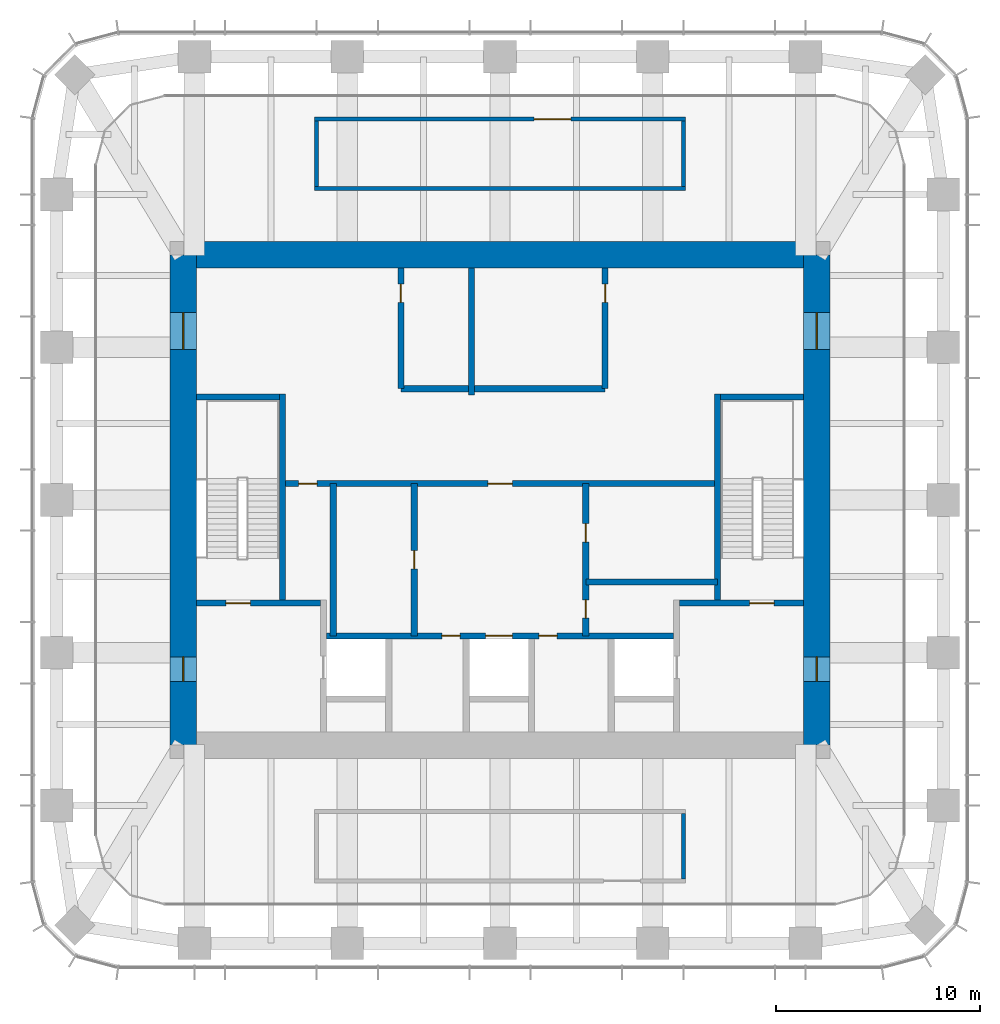
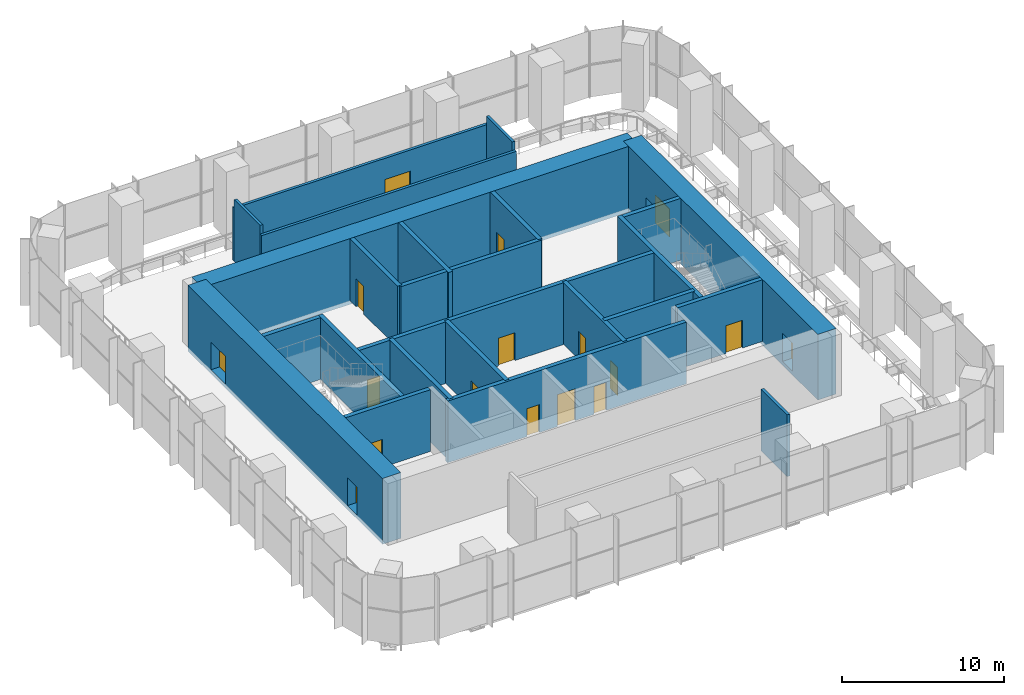
# One storey, part 6 of 10: 24 walls, 17 doors, 17 openings.
"""IFC4 building model written with IfcOpenShell, lengths in metres."""

import ifcopenshell
import ifcopenshell.guid

model = None  # the IFC model being written
_history = None  # IfcOwnerHistory: only IFC2X3 demands one
_inside = {}  # id of a spatial element -> (the spatial element, [elements in it])
_under = {}  # id of a project, library or spatial element -> (it, [spatial elements below it])
_declared = {}  # id of a project -> (the project, [libraries it declares])
_typed = {}  # id of a type object -> (the type object, [elements of that type])
_made_of = {}  # id of a material, layer set ... -> (it, [elements and type objects made of it])


def new_model(schema):
    """Start an empty IFC model of exactly this schema.

    Asked for "IFC4X3", IfcOpenShell would pick the latest addendum, in which some entities
    have other attributes; the version numbers below select the first issue.
    IFC2X3 requires an IfcOwnerHistory on every rooted entity: one is made here for all.
    """
    global model, _history
    if schema == "IFC4X3":
        model = ifcopenshell.file(schema_version=(4, 3, 0, 0))
    else:
        model = ifcopenshell.file(schema=schema)
    _inside.clear()
    _under.clear()
    _declared.clear()
    _typed.clear()
    _made_of.clear()
    _history = None
    if model.schema == "IFC2X3":
        org = make("IfcOrganization", Name="unknown")
        user = make(
            "IfcPersonAndOrganization",
            ThePerson=make("IfcPerson", FamilyName="unknown"),
            TheOrganization=org,
        )
        app = make(
            "IfcApplication",
            ApplicationDeveloper=org,
            Version="unknown",
            ApplicationFullName="unknown",
            ApplicationIdentifier="unknown",
        )
        _history = make(
            "IfcOwnerHistory",
            OwningUser=user,
            OwningApplication=app,
            ChangeAction="ADDED",
            CreationDate=0,
        )
    return model


def make(cls, **values):
    """One entity of the class cls with the attributes given. An attribute that is None is left unset."""
    return model.create_entity(
        cls, **{name: value for name, value in values.items() if value is not None}
    )


def rooted(cls, **values):
    """An entity with a GlobalId (a new one), such as an element, a storey or a relation."""
    return make(cls, GlobalId=ifcopenshell.guid.new(), OwnerHistory=_history, **values)


def si_unit(unit_type, name, prefix=None):
    """IfcSIUnit, for example si_unit("LENGTHUNIT", "METRE", prefix="MILLI")."""
    return make("IfcSIUnit", UnitType=unit_type, Prefix=prefix, Name=name)


def assignment(units):
    """IfcUnitAssignment: the units of a project."""
    return None if units is None else make("IfcUnitAssignment", Units=units)


def point(xyz):
    """IfcCartesianPoint."""
    return None if xyz is None else make("IfcCartesianPoint", Coordinates=xyz)


def direction(xyz):
    """IfcDirection."""
    return None if xyz is None else make("IfcDirection", DirectionRatios=xyz)


def frame(location, z_axis=None, x_axis=None):
    """IfcAxis2Placement3D, a coordinate frame: its origin and axes. An axis left out is left unset."""
    return make(
        "IfcAxis2Placement3D",
        Location=point(location),
        Axis=direction(z_axis),
        RefDirection=direction(x_axis),
    )


def frame_2d(location, x_axis=None):
    """IfcAxis2Placement2D, a coordinate frame in the plane: its origin and x axis."""
    return make(
        "IfcAxis2Placement2D", Location=point(location), RefDirection=direction(x_axis)
    )


def origin():
    """The frame at (0, 0, 0) with its axes left unset."""
    return frame((0.0, 0.0, 0.0))


def place(relative_to, where):
    """IfcLocalPlacement: puts the frame where relative to a parent placement (None: the world)."""
    return make(
        "IfcLocalPlacement", PlacementRelTo=relative_to, RelativePlacement=where
    )


def context(
    kind, dimensions, precision=None, world=None, true_north=None, identifier=None
):
    """IfcGeometricRepresentationContext, for example the 3D "Model" context."""
    return make(
        "IfcGeometricRepresentationContext",
        ContextIdentifier=identifier,
        ContextType=kind,
        CoordinateSpaceDimension=dimensions,
        Precision=precision,
        WorldCoordinateSystem=world,
        TrueNorth=true_north,
    )


def subcontext(parent, identifier, kind, view, scale=None):
    """IfcGeometricRepresentationSubContext, for example "Body" below "Model"."""
    return make(
        "IfcGeometricRepresentationSubContext",
        ContextIdentifier=identifier,
        ContextType=kind,
        ParentContext=parent,
        TargetScale=scale,
        TargetView=view,
    )


def project(units=None, contexts=None):
    """IfcProject with its units and contexts."""
    return rooted(
        "IfcProject",
        Name="project",
        RepresentationContexts=contexts,
        UnitsInContext=assignment(units),
    )


def spatial(cls, under=None, at=None, **own):
    """A site, building, storey or space (cls), placed at a placement, below another one or the project."""
    s = rooted(cls, ObjectPlacement=at, **own)
    if under is not None:
        _under.setdefault(under.id(), (under, []))[1].append(s)
    return s


def profile(cls, at=None, kind="AREA", **sizes):
    """A parametric profile (cls). Its sizes go by their IFC names, for example OverallWidth=200.0."""
    return make(cls, ProfileType=kind, Position=at, **sizes)


def rectangle(**sizes):
    """IfcRectangleProfileDef."""
    return profile("IfcRectangleProfileDef", **sizes)


def extrude(swept, where, along, depth):
    """IfcExtrudedAreaSolid: the profile swept, set in the frame where, extruded along a direction by depth."""
    return make(
        "IfcExtrudedAreaSolid",
        SweptArea=swept,
        Position=where,
        ExtrudedDirection=direction(along),
        Depth=depth,
    )


def shape(context_of_items, identifier, shape_type, items):
    """IfcShapeRepresentation: the items that make up one representation, for example the "Body"."""
    return make(
        "IfcShapeRepresentation",
        ContextOfItems=context_of_items,
        RepresentationIdentifier=identifier,
        RepresentationType=shape_type,
        Items=items,
    )


def material(Name=None, Category=None):
    """IfcMaterial."""
    return make("IfcMaterial", Name=Name, Category=Category)


def layer(
    of_material, thickness, ventilated=None, Name=None, Category=None, Priority=None
):
    """IfcMaterialLayer: one layer of a wall or slab, of a material (None: an air gap)."""
    return make(
        "IfcMaterialLayer",
        Material=of_material,
        LayerThickness=thickness,
        IsVentilated=ventilated,
        Name=Name,
        Category=Category,
        Priority=Priority,
    )


def layer_set(layers, Name=None):
    """IfcMaterialLayerSet."""
    return make("IfcMaterialLayerSet", MaterialLayers=layers, LayerSetName=Name)


def made_of(thing, what):
    """Note that an element or type object is made of a material, layer set ...; save() writes the relation."""
    if what is not None:
        _made_of.setdefault(what.id(), (what, []))[1].append(thing)
    return thing


def type_object(cls, material=None, **own):
    """A type object (cls), such as IfcWallType, which elements share."""
    return made_of(rooted(cls, **own), material)


def element(
    cls,
    number,
    at=None,
    inside=None,
    cuts=None,
    type_object=None,
    material=None,
    context=None,
    identifier="Body",
    shape_type=None,
    held_by="IfcProductDefinitionShape",
    body=None,
    shapes=None,
    **own,
):
    """One element of the class cls, such as IfcWall. Its Tag is "e" and its number.

    at: its placement. inside: the storey or other place that contains it. cuts: it is an
    opening in that element (IfcRelVoidsElement). A single representation is given by context,
    identifier, shape_type and body (its items); several are given by shapes. held_by: the class
    of the entity that holds the representations. save() writes the other relations.
    """
    e = rooted(cls, Tag="e%d" % number, ObjectPlacement=at, **own)
    if body is not None:
        shapes = [shape(context, identifier, shape_type, body)]
    if shapes is not None:
        e.Representation = make(held_by, Representations=shapes)
    if inside is not None:
        _inside.setdefault(inside.id(), (inside, []))[1].append(e)
    if cuts is not None:
        rooted(
            "IfcRelVoidsElement", RelatingBuildingElement=cuts, RelatedOpeningElement=e
        )
    if type_object is not None:
        _typed.setdefault(type_object.id(), (type_object, []))[1].append(e)
    return made_of(e, material)


def fill(opening, filler):
    """IfcRelFillsElement: the door or window that sits in an opening."""
    return rooted(
        "IfcRelFillsElement",
        RelatingOpeningElement=opening,
        RelatedBuildingElement=filler,
    )


def aggregate(whole, parts):
    """IfcRelAggregates: a whole, such as a stair, and the parts it consists of."""
    return rooted("IfcRelAggregates", RelatingObject=whole, RelatedObjects=parts)


def save(model, path):
    """Write the relations noted so far, then the file.

    IfcRelAggregates (storeys below a building ...), IfcRelContainedInSpatialStructure (elements
    in a storey), IfcRelDefinesByType, IfcRelAssociatesMaterial and IfcRelDeclares: one each for
    every whole, place, type object, material and project.
    """
    for whole, parts in _under.values():
        aggregate(whole, parts)
    for where, things in _inside.values():
        rooted(
            "IfcRelContainedInSpatialStructure",
            RelatedElements=things,
            RelatingStructure=where,
        )
    for kind, things in _typed.values():
        rooted("IfcRelDefinesByType", RelatedObjects=things, RelatingType=kind)
    for what, things in _made_of.values():
        rooted("IfcRelAssociatesMaterial", RelatedObjects=things, RelatingMaterial=what)
    for by, libraries in _declared.values():
        rooted("IfcRelDeclares", RelatingContext=by, RelatedDefinitions=libraries)
    model.write(path)


model = new_model("IFC4")

# Units and contexts
model_context = context("Model", 3, precision=1e-05, world=origin(), true_north=direction((0.0, 1.0)))
body_context = subcontext(model_context, "Body", "Model", "MODEL_VIEW")
ifc_project = project(units=[si_unit("LENGTHUNIT", "METRE"), si_unit("AREAUNIT", "SQUARE_METRE"), si_unit("VOLUMEUNIT", "CUBIC_METRE"), si_unit("PLANEANGLEUNIT", "RADIAN"), si_unit("MASSUNIT", "GRAM", prefix="KILO")], contexts=[model_context])

# Site, building, storey
site_placement = place(None, origin())
site = spatial("IfcSite", under=ifc_project, at=site_placement, CompositionType="ELEMENT")
building_placement = place(site_placement, origin())
building = spatial("IfcBuilding", under=site, at=building_placement, Name="Khuree Lantern Residences", CompositionType="ELEMENT")
storey_placement = place(building_placement, frame((0.0, 0.0, 358.25)))
storey = spatial("IfcBuildingStorey", under=building, at=storey_placement, Name="L90", CompositionType="ELEMENT", Elevation=358.25)

# Wall, openings, doors
ifc_material_1 = material(Name="Dense concrete blockwork", Category="masonry")
ifc_layer_1 = layer(ifc_material_1, 0.300048828125)
ifc_layer_set_1 = layer_set([ifc_layer_1], Name="CORE PARTITION WALL CPW300 EI 120")
wall_type_1 = type_object("IfcWallType", Name="CORE PARTITION WALL CPW300 EI 120", PredefinedType="PARTITIONING", material=ifc_layer_set_1)
wall_1_placement = place(storey_placement, frame((-8.5, -6.64990234375, 0.0), z_axis=(0.0, 0.0, 1.0), x_axis=(1.0, 0.0, 0.0)))
wall_1 = element("IfcWall", 1, at=wall_1_placement, inside=storey, type_object=wall_type_1, Name="L90 CORE WALL FLROW", PredefinedType="PARTITIONING", context=body_context, shape_type="SweptSolid", body=[
    extrude(rectangle(XDim=17.0, YDim=0.300048828125, at=frame_2d((8.5, 0.0))), origin(), (0.0, 0.0, 1.0), 4.64990234375),
])
opening_1_placement = place(wall_1_placement, frame((7.800048828125, 0.0, 0.0)))
opening_1 = element("IfcOpeningElement", 2, at=opening_1_placement, cuts=wall_1, Name="Opening 90-009", PredefinedType="OPENING", context=body_context, shape_type="SweptSolid", body=[
    extrude(rectangle(XDim=1.300048828125, YDim=2.39990234375, at=frame_2d((0.64990234375, 1.199951171875))), frame((0.0, 0.16015625, 0.0), z_axis=(0.0, -1.0, 0.0), x_axis=(1.0, 0.0, 0.0)), (0.0, 0.0, 1.0), 0.320068359375),
])
opening_2_placement = place(wall_1_placement, frame((5.64990234375, 0.0, 0.0)))
opening_2 = element("IfcOpeningElement", 3, at=opening_2_placement, cuts=wall_1, Name="Opening 90-011", PredefinedType="OPENING", context=body_context, shape_type="SweptSolid", body=[
    extrude(rectangle(XDim=0.89990234375, YDim=2.10009765625, at=frame_2d((0.449951171875, 1.050048828125))), frame((0.0, 0.16015625, 0.0), z_axis=(0.0, -1.0, 0.0), x_axis=(1.0, 0.0, 0.0)), (0.0, 0.0, 1.0), 0.320068359375),
])
opening_3_placement = place(wall_1_placement, frame((10.39990234375, 0.0, 0.0)))
opening_3 = element("IfcOpeningElement", 4, at=opening_3_placement, cuts=wall_1, Name="Opening 90-012", PredefinedType="OPENING", context=body_context, shape_type="SweptSolid", body=[
    extrude(rectangle(XDim=0.89990234375, YDim=2.10009765625, at=frame_2d((0.449951171875, 1.050048828125))), frame((0.0, 0.16015625, 0.0), z_axis=(0.0, -1.0, 0.0), x_axis=(1.0, 0.0, 0.0)), (0.0, 0.0, 1.0), 0.320068359375),
])
ifc_material_2 = material(Name="Steel door leaf in steel frame", Category="steel")
door_type_1 = type_object("IfcDoorType", Name="DOOR 900X2100 EI 60", OperationType="SINGLE_SWING_LEFT", PredefinedType="DOOR", material=ifc_material_2)
door_1_placement = place(opening_2_placement, origin())
door_1 = element("IfcDoor", 5, at=door_1_placement, inside=storey, type_object=door_type_1, Name="Electrical riser door 90-011", OperationType="SINGLE_SWING_LEFT", OverallHeight=2.10009765625, OverallWidth=0.89990234375, PredefinedType="DOOR", context=body_context, shape_type="SweptSolid", body=[
    extrude(rectangle(XDim=0.89990234375, YDim=2.10009765625, at=frame_2d((0.449951171875, 1.050048828125))), frame((0.0, 0.02490234375, 0.0), z_axis=(0.0, -1.0, 0.0), x_axis=(1.0, 0.0, 0.0)), (0.0, 0.0, 1.0), 0.050048828125),
])
fill(opening_2, door_1)
door_type_2 = type_object("IfcDoorType", Name="DOOR 900X2100 EI 60 RIGHT HAND", OperationType="SINGLE_SWING_RIGHT", PredefinedType="DOOR", material=ifc_material_2)
door_2_placement = place(opening_3_placement, origin())
door_2 = element("IfcDoor", 6, at=door_2_placement, inside=storey, type_object=door_type_2, Name="Plumbing riser door 90-012", OperationType="SINGLE_SWING_RIGHT", OverallHeight=2.10009765625, OverallWidth=0.89990234375, PredefinedType="DOOR", context=body_context, shape_type="SweptSolid", body=[
    extrude(rectangle(XDim=0.89990234375, YDim=2.10009765625, at=frame_2d((0.449951171875, 1.050048828125))), frame((0.0, 0.02490234375, 0.0), z_axis=(0.0, -1.0, 0.0), x_axis=(1.0, 0.0, 0.0)), (0.0, 0.0, 1.0), 0.050048828125),
])
fill(opening_3, door_2)
ifc_material_3 = material(Name="Stainless steel lift landing door", Category="steel")
door_type_3 = type_object("IfcDoorType", Name="LIFT LANDING DOOR 1300X2400 E 60", OperationType="DOUBLE_DOOR_SLIDING", PredefinedType="DOOR", material=ifc_material_3)
door_3_placement = place(opening_1_placement, origin())
door_3 = element("IfcDoor", 7, at=door_3_placement, inside=storey, type_object=door_type_3, Name="Landing door SL1 90-009", OperationType="DOUBLE_DOOR_SLIDING", OverallHeight=2.39990234375, OverallWidth=1.300048828125, PredefinedType="DOOR", context=body_context, shape_type="SweptSolid", body=[
    extrude(rectangle(XDim=1.300048828125, YDim=2.39990234375, at=frame_2d((0.64990234375, 1.199951171875))), frame((0.0, 0.02490234375, 0.0), z_axis=(0.0, -1.0, 0.0), x_axis=(1.0, 0.0, 0.0)), (0.0, 0.0, 1.0), 0.050048828125),
])
fill(opening_1, door_3)

wall_2_placement = place(storey_placement, frame((-10.64990234375, 0.800048828125, 0.0), z_axis=(0.0, 0.0, 1.0), x_axis=(1.0, 0.0, 0.0)))
wall_2 = element("IfcWall", 8, at=wall_2_placement, inside=storey, type_object=wall_type_1, Name="L90 CORE WALL LLS", PredefinedType="PARTITIONING", context=body_context, shape_type="SweptSolid", body=[
    extrude(rectangle(XDim=21.2998046875, YDim=0.300048828125, at=frame_2d((10.64990234375, 0.0))), origin(), (0.0, 0.0, 1.0), 4.64990234375),
])
opening_4_placement = place(wall_2_placement, frame((10.050048828125, 0.0, 0.0)))
opening_4 = element("IfcOpeningElement", 9, at=opening_4_placement, cuts=wall_2, Name="Opening 90-010", PredefinedType="OPENING", context=body_context, shape_type="SweptSolid", body=[
    extrude(rectangle(XDim=1.199951171875, YDim=2.10009765625, at=frame_2d((0.60009765625, 1.050048828125))), frame((0.0, 0.16015625, 0.0), z_axis=(0.0, -1.0, 0.0), x_axis=(1.0, 0.0, 0.0)), (0.0, 0.0, 1.0), 0.320068359375),
])
opening_5_placement = place(wall_2_placement, frame((0.79296875, 0.0, 0.0)))
opening_5 = element("IfcOpeningElement", 10, at=opening_5_placement, cuts=wall_2, Name="Opening 90-014", PredefinedType="OPENING", context=body_context, shape_type="SweptSolid", body=[
    extrude(rectangle(XDim=0.89990234375, YDim=2.10009765625, at=frame_2d((0.449951171875, 1.050048828125))), frame((0.0, 0.16015625, 0.0), z_axis=(0.0, -1.0, 0.0), x_axis=(1.0, 0.0, 0.0)), (0.0, 0.0, 1.0), 0.320068359375),
])
door_type_4 = type_object("IfcDoorType", Name="DOOR 1200X2100 EI 60", OperationType="SINGLE_SWING_LEFT", PredefinedType="DOOR", material=ifc_material_2)
door_4_placement = place(opening_4_placement, origin())
door_4 = element("IfcDoor", 11, at=door_4_placement, inside=storey, type_object=door_type_4, Name="Service lift lobby door 90-010", OperationType="SINGLE_SWING_LEFT", OverallHeight=2.10009765625, OverallWidth=1.199951171875, PredefinedType="DOOR", context=body_context, shape_type="SweptSolid", body=[
    extrude(rectangle(XDim=1.199951171875, YDim=2.10009765625, at=frame_2d((0.60009765625, 1.050048828125))), frame((0.0, 0.02490234375, 0.0), z_axis=(0.0, -1.0, 0.0), x_axis=(1.0, 0.0, 0.0)), (0.0, 0.0, 1.0), 0.050048828125),
])
fill(opening_4, door_4)
ifc_material_4 = material(Name="Timber door leaf in hardwood frame", Category="wood")
door_type_5 = type_object("IfcDoorType", Name="DOOR 900X2100", OperationType="SINGLE_SWING_LEFT", PredefinedType="DOOR", material=ifc_material_4)
door_5_placement = place(opening_5_placement, origin())
door_5 = element("IfcDoor", 12, at=door_5_placement, inside=storey, type_object=door_type_5, Name="Spares store door 90-014", OperationType="SINGLE_SWING_LEFT", OverallHeight=2.10009765625, OverallWidth=0.89990234375, PredefinedType="DOOR", context=body_context, shape_type="SweptSolid", body=[
    extrude(rectangle(XDim=0.89990234375, YDim=2.10009765625, at=frame_2d((0.449951171875, 1.050048828125))), frame((0.0, 0.02490234375, 0.0), z_axis=(0.0, -1.0, 0.0), x_axis=(1.0, 0.0, 0.0)), (0.0, 0.0, 1.0), 0.050048828125),
])
fill(opening_5, door_5)

# Wall, opening, door
wall_3_placement = place(storey_placement, frame((-4.199951171875, -6.64990234375, 0.0), z_axis=(0.0, 0.0, 1.0), x_axis=(0.0, 1.0, 0.0)))
wall_3 = element("IfcWall", 13, at=wall_3_placement, inside=storey, type_object=wall_type_1, Name="L90 CORE WALL SVW", PredefinedType="PARTITIONING", context=body_context, shape_type="SweptSolid", body=[
    extrude(rectangle(XDim=7.449951171875, YDim=0.300048828125, at=frame_2d((3.72509765625, 0.0))), origin(), (0.0, 0.0, 1.0), 4.64990234375),
])
opening_6_placement = place(wall_3_placement, frame((3.27490234375, 0.0, 0.0)))
opening_6 = element("IfcOpeningElement", 14, at=opening_6_placement, cuts=wall_3, Name="Opening 90-013", PredefinedType="OPENING", context=body_context, shape_type="SweptSolid", body=[
    extrude(rectangle(XDim=0.89990234375, YDim=2.10009765625, at=frame_2d((0.449951171875, 1.050048828125))), frame((0.0, 0.16015625, 0.0), z_axis=(0.0, -1.0, 0.0), x_axis=(1.0, 0.0, 0.0)), (0.0, 0.0, 1.0), 0.320068359375),
])
door_6_placement = place(opening_6_placement, origin())
door_6 = element("IfcDoor", 15, at=door_6_placement, inside=storey, type_object=door_type_5, Name="Store door 90-013", OperationType="SINGLE_SWING_LEFT", OverallHeight=2.10009765625, OverallWidth=0.89990234375, PredefinedType="DOOR", context=body_context, shape_type="SweptSolid", body=[
    extrude(rectangle(XDim=0.89990234375, YDim=2.10009765625, at=frame_2d((0.449951171875, 1.050048828125))), frame((0.0, 0.02490234375, 0.0), z_axis=(0.0, -1.0, 0.0), x_axis=(1.0, 0.0, 0.0)), (0.0, 0.0, 1.0), 0.050048828125),
])
fill(opening_6, door_6)

# Wall, openings, doors
wall_4_placement = place(storey_placement, frame((4.199951171875, -6.64990234375, 0.0), z_axis=(0.0, 0.0, 1.0), x_axis=(0.0, 1.0, 0.0)))
wall_4 = element("IfcWall", 16, at=wall_4_placement, inside=storey, type_object=wall_type_1, Name="L90 CORE WALL SVE", PredefinedType="PARTITIONING", context=body_context, shape_type="SweptSolid", body=[
    extrude(rectangle(XDim=7.449951171875, YDim=0.300048828125, at=frame_2d((3.72509765625, 0.0))), origin(), (0.0, 0.0, 1.0), 4.64990234375),
])
opening_7_placement = place(wall_4_placement, frame((0.865966796875, 0.0, 0.0)))
opening_7 = element("IfcOpeningElement", 17, at=opening_7_placement, cuts=wall_4, Name="Opening 90-015", PredefinedType="OPENING", context=body_context, shape_type="SweptSolid", body=[
    extrude(rectangle(XDim=0.89990234375, YDim=2.10009765625, at=frame_2d((0.449951171875, 1.050048828125))), frame((0.0, 0.16015625, 0.0), z_axis=(0.0, -1.0, 0.0), x_axis=(1.0, 0.0, 0.0)), (0.0, 0.0, 1.0), 0.320068359375),
])
opening_8_placement = place(wall_4_placement, frame((4.591064453125, 0.0, 0.0)))
opening_8 = element("IfcOpeningElement", 18, at=opening_8_placement, cuts=wall_4, Name="Opening 90-016", PredefinedType="OPENING", context=body_context, shape_type="SweptSolid", body=[
    extrude(rectangle(XDim=0.89990234375, YDim=2.10009765625, at=frame_2d((0.449951171875, 1.050048828125))), frame((0.0, 0.16015625, 0.0), z_axis=(0.0, -1.0, 0.0), x_axis=(1.0, 0.0, 0.0)), (0.0, 0.0, 1.0), 0.320068359375),
])
door_7_placement = place(opening_7_placement, origin())
door_7 = element("IfcDoor", 19, at=door_7_placement, inside=storey, type_object=door_type_5, Name="Spares store door 90-015", OperationType="SINGLE_SWING_LEFT", OverallHeight=2.10009765625, OverallWidth=0.89990234375, PredefinedType="DOOR", context=body_context, shape_type="SweptSolid", body=[
    extrude(rectangle(XDim=0.89990234375, YDim=2.10009765625, at=frame_2d((0.449951171875, 1.050048828125))), frame((0.0, 0.02490234375, 0.0), z_axis=(0.0, -1.0, 0.0), x_axis=(1.0, 0.0, 0.0)), (0.0, 0.0, 1.0), 0.050048828125),
])
fill(opening_7, door_7)
door_type_6 = type_object("IfcDoorType", Name="DOOR 900X2100 RIGHT HAND", OperationType="SINGLE_SWING_RIGHT", PredefinedType="DOOR", material=ifc_material_4)
door_8_placement = place(opening_8_placement, origin())
door_8 = element("IfcDoor", 20, at=door_8_placement, inside=storey, type_object=door_type_6, Name="Store door 90-016", OperationType="SINGLE_SWING_RIGHT", OverallHeight=2.10009765625, OverallWidth=0.89990234375, PredefinedType="DOOR", context=body_context, shape_type="SweptSolid", body=[
    extrude(rectangle(XDim=0.89990234375, YDim=2.10009765625, at=frame_2d((0.449951171875, 1.050048828125))), frame((0.0, 0.02490234375, 0.0), z_axis=(0.0, -1.0, 0.0), x_axis=(1.0, 0.0, 0.0)), (0.0, 0.0, 1.0), 0.050048828125),
])
fill(opening_8, door_8)

# Walls
wall_5_placement = place(storey_placement, frame((-8.1630859375, -6.64990234375, 0.0), z_axis=(0.0, 0.0, 1.0), x_axis=(0.0, 1.0, 0.0)))
element("IfcWall", 21, at=wall_5_placement, inside=storey, type_object=wall_type_1, Name="L90 CORE WALL WV", PredefinedType="PARTITIONING", context=body_context, shape_type="SweptSolid", body=[
    extrude(rectangle(XDim=7.449951171875, YDim=0.300048828125, at=frame_2d((3.72509765625, 0.0))), origin(), (0.0, 0.0, 1.0), 4.64990234375),
])
wall_6_placement = place(storey_placement, frame((10.64990234375, -4.01806640625, 0.0), z_axis=(0.0, 0.0, 1.0), x_axis=(-1.0, 0.0, 0.0)))
element("IfcWall", 22, at=wall_6_placement, inside=storey, type_object=wall_type_1, Name="L90 CORE WALL EX", PredefinedType="PARTITIONING", context=body_context, shape_type="SweptSolid", body=[
    extrude(rectangle(XDim=6.449951171875, YDim=0.300048828125, at=frame_2d((3.22509765625, 0.0))), origin(), (0.0, 0.0, 1.0), 4.64990234375),
])
wall_7_placement = place(storey_placement, frame((-4.85009765625, 5.449951171875, 0.0), z_axis=(0.0, 0.0, 1.0), x_axis=(1.0, 0.0, 0.0)))
element("IfcWall", 23, at=wall_7_placement, inside=storey, type_object=wall_type_1, Name="L90 CORE WALL LLN", PredefinedType="PARTITIONING", context=body_context, shape_type="SweptSolid", body=[
    extrude(rectangle(XDim=10.0, YDim=0.300048828125, at=frame_2d((5.0, 0.0))), origin(), (0.0, 0.0, 1.0), 4.64990234375),
])

# Wall, opening, door
wall_8_placement = place(storey_placement, frame((-4.85009765625, 5.449951171875, 0.0), z_axis=(0.0, 0.0, 1.0), x_axis=(0.0, 1.0, 0.0)))
wall_8 = element("IfcWall", 24, at=wall_8_placement, inside=storey, type_object=wall_type_1, Name="L90 CORE WALL NW", PredefinedType="PARTITIONING", context=body_context, shape_type="SweptSolid", body=[
    extrude(rectangle(XDim=5.900146484375, YDim=0.300048828125, at=frame_2d((2.9501953125, 0.0))), origin(), (0.0, 0.0, 1.0), 4.64990234375),
])
opening_9_placement = place(wall_8_placement, frame((4.22509765625, 0.0, 0.0)))
opening_9 = element("IfcOpeningElement", 25, at=opening_9_placement, cuts=wall_8, Name="Opening 90-017", PredefinedType="OPENING", context=body_context, shape_type="SweptSolid", body=[
    extrude(rectangle(XDim=0.89990234375, YDim=2.10009765625, at=frame_2d((0.449951171875, 1.050048828125))), frame((0.0, 0.16015625, 0.0), z_axis=(0.0, -1.0, 0.0), x_axis=(1.0, 0.0, 0.0)), (0.0, 0.0, 1.0), 0.320068359375),
])
door_9_placement = place(opening_9_placement, origin())
door_9 = element("IfcDoor", 26, at=door_9_placement, inside=storey, type_object=door_type_6, Name="Maintenance store door 90-017", OperationType="SINGLE_SWING_RIGHT", OverallHeight=2.10009765625, OverallWidth=0.89990234375, PredefinedType="DOOR", context=body_context, shape_type="SweptSolid", body=[
    extrude(rectangle(XDim=0.89990234375, YDim=2.10009765625, at=frame_2d((0.449951171875, 1.050048828125))), frame((0.0, 0.02490234375, 0.0), z_axis=(0.0, -1.0, 0.0), x_axis=(1.0, 0.0, 0.0)), (0.0, 0.0, 1.0), 0.050048828125),
])
fill(opening_9, door_9)

wall_9_placement = place(storey_placement, frame((5.14990234375, 5.449951171875, 0.0), z_axis=(0.0, 0.0, 1.0), x_axis=(0.0, 1.0, 0.0)))
wall_9 = element("IfcWall", 27, at=wall_9_placement, inside=storey, type_object=wall_type_1, Name="L90 CORE WALL NE", PredefinedType="PARTITIONING", context=body_context, shape_type="SweptSolid", body=[
    extrude(rectangle(XDim=5.900146484375, YDim=0.300048828125, at=frame_2d((2.9501953125, 0.0))), origin(), (0.0, 0.0, 1.0), 4.64990234375),
])
opening_10_placement = place(wall_9_placement, frame((4.22509765625, 0.0, 0.0)))
opening_10 = element("IfcOpeningElement", 28, at=opening_10_placement, cuts=wall_9, Name="Opening 90-018", PredefinedType="OPENING", context=body_context, shape_type="SweptSolid", body=[
    extrude(rectangle(XDim=0.89990234375, YDim=2.10009765625, at=frame_2d((0.449951171875, 1.050048828125))), frame((0.0, 0.16015625, 0.0), z_axis=(0.0, -1.0, 0.0), x_axis=(1.0, 0.0, 0.0)), (0.0, 0.0, 1.0), 0.320068359375),
])
door_10_placement = place(opening_10_placement, origin())
door_10 = element("IfcDoor", 29, at=door_10_placement, inside=storey, type_object=door_type_6, Name="Store door 90-018", OperationType="SINGLE_SWING_RIGHT", OverallHeight=2.10009765625, OverallWidth=0.89990234375, PredefinedType="DOOR", context=body_context, shape_type="SweptSolid", body=[
    extrude(rectangle(XDim=0.89990234375, YDim=2.10009765625, at=frame_2d((0.449951171875, 1.050048828125))), frame((0.0, 0.02490234375, 0.0), z_axis=(0.0, -1.0, 0.0), x_axis=(1.0, 0.0, 0.0)), (0.0, 0.0, 1.0), 0.050048828125),
])
fill(opening_10, door_10)

# Wall
wall_10_placement = place(storey_placement, frame((-1.39990234375, 5.14990234375, 0.0), z_axis=(0.0, 0.0, 1.0), x_axis=(0.0, 1.0, 0.0)))
element("IfcWall", 30, at=wall_10_placement, inside=storey, type_object=wall_type_1, Name="L90 CORE WALL NX", PredefinedType="PARTITIONING", context=body_context, shape_type="SweptSolid", body=[
    extrude(rectangle(XDim=6.2001953125, YDim=0.300048828125, at=frame_2d((3.10009765625, 0.0))), origin(), (0.0, 0.0, 1.0), 4.64990234375),
])

# Wall, openings, doors
ifc_material_5 = material(Name="Concrete C50/60", Category="concrete")
ifc_layer_2 = layer(ifc_material_5, 1.300048828125)
ifc_layer_set_2 = layer_set([ifc_layer_2], Name="CW1300-C50 CORE WALL C50 1300")
wall_type_2 = type_object("IfcWallType", Name="CW1300-C50 CORE WALL C50 1300", PredefinedType="SHEAR", material=ifc_layer_set_2)
wall_11_placement = place(storey_placement, frame((15.5, -12.0, -0.300048828125), z_axis=(0.0, 0.0, 1.0), x_axis=(0.0, 1.0, 0.0)))
wall_11 = element("IfcWall", 31, at=wall_11_placement, inside=storey, type_object=wall_type_2, Name="Core wall E", PredefinedType="SHEAR", context=body_context, shape_type="SweptSolid", body=[
    extrude(rectangle(XDim=24.0, YDim=1.300048828125, at=frame_2d((12.0, 0.0))), origin(), (0.0, 0.0, 1.0), 4.949951171875),
])
opening_11_placement = place(wall_11_placement, frame((3.125, 0.0, 0.300048828125)))
opening_11 = element("IfcOpeningElement", 32, at=opening_11_placement, cuts=wall_11, Name="Opening 90-005", PredefinedType="OPENING", context=body_context, shape_type="SweptSolid", body=[
    extrude(rectangle(XDim=1.199951171875, YDim=2.10009765625, at=frame_2d((0.60009765625, 1.050048828125))), frame((0.0, 0.66015625, 0.0), z_axis=(0.0, -1.0, 0.0), x_axis=(1.0, 0.0, 0.0)), (0.0, 0.0, 1.0), 1.320068359375),
])
opening_12_placement = place(wall_11_placement, frame((19.375, 0.0, 0.300048828125)))
opening_12 = element("IfcOpeningElement", 33, at=opening_12_placement, cuts=wall_11, Name="Opening 90-006", PredefinedType="OPENING", context=body_context, shape_type="SweptSolid", body=[
    extrude(rectangle(XDim=1.800048828125, YDim=2.10009765625, at=frame_2d((0.89990234375, 1.050048828125))), frame((0.0, 0.66015625, 0.0), z_axis=(0.0, -1.0, 0.0), x_axis=(1.0, 0.0, 0.0)), (0.0, 0.0, 1.0), 1.320068359375),
])
door_type_7 = type_object("IfcDoorType", Name="LOBBY DOOR 1200X2100 EI 120", OperationType="SINGLE_SWING_LEFT", PredefinedType="DOOR", material=ifc_material_2)
door_11_placement = place(opening_11_placement, origin())
door_11 = element("IfcDoor", 34, at=door_11_placement, inside=storey, type_object=door_type_7, Name="Firefighting lobby door 90-005", OperationType="SINGLE_SWING_LEFT", OverallHeight=2.10009765625, OverallWidth=1.199951171875, PredefinedType="DOOR", context=body_context, shape_type="SweptSolid", body=[
    extrude(rectangle(XDim=1.199951171875, YDim=2.10009765625, at=frame_2d((0.60009765625, 1.050048828125))), frame((0.0, 0.02490234375, 0.0), z_axis=(0.0, -1.0, 0.0), x_axis=(1.0, 0.0, 0.0)), (0.0, 0.0, 1.0), 0.050048828125),
])
fill(opening_11, door_11)
door_type_8 = type_object("IfcDoorType", Name="LOBBY DOUBLE DOOR 1800X2100 EI 60", OperationType="DOUBLE_DOOR_SINGLE_SWING", PredefinedType="DOOR", material=ifc_material_2)
door_12_placement = place(opening_12_placement, origin())
door_12 = element("IfcDoor", 35, at=door_12_placement, inside=storey, type_object=door_type_8, Name="Lift lobby door 90-006", OperationType="DOUBLE_DOOR_SINGLE_SWING", OverallHeight=2.10009765625, OverallWidth=1.800048828125, PredefinedType="DOOR", context=body_context, shape_type="SweptSolid", body=[
    extrude(rectangle(XDim=1.800048828125, YDim=2.10009765625, at=frame_2d((0.89990234375, 1.050048828125))), frame((0.0, 0.02490234375, 0.0), z_axis=(0.0, -1.0, 0.0), x_axis=(1.0, 0.0, 0.0)), (0.0, 0.0, 1.0), 0.050048828125),
])
fill(opening_12, door_12)

# Wall
wall_12_placement = place(storey_placement, frame((-15.5, 12.0, -0.300048828125), z_axis=(0.0, 0.0, 1.0), x_axis=(1.0, 0.0, 0.0)))
element("IfcWall", 36, at=wall_12_placement, inside=storey, type_object=wall_type_2, Name="Core wall N", PredefinedType="SHEAR", context=body_context, shape_type="SweptSolid", body=[
    extrude(rectangle(XDim=31.0, YDim=1.300048828125, at=frame_2d((15.5, 0.0))), origin(), (0.0, 0.0, 1.0), 4.949951171875),
])

# Wall, openings, doors
wall_13_placement = place(storey_placement, frame((-15.5, -12.0, -0.300048828125), z_axis=(0.0, 0.0, 1.0), x_axis=(0.0, 1.0, 0.0)))
wall_13 = element("IfcWall", 37, at=wall_13_placement, inside=storey, type_object=wall_type_2, Name="Core wall W", PredefinedType="SHEAR", context=body_context, shape_type="SweptSolid", body=[
    extrude(rectangle(XDim=24.0, YDim=1.300048828125, at=frame_2d((12.0, 0.0))), origin(), (0.0, 0.0, 1.0), 4.949951171875),
])
opening_13_placement = place(wall_13_placement, frame((3.125, 0.0, 0.300048828125)))
opening_13 = element("IfcOpeningElement", 38, at=opening_13_placement, cuts=wall_13, Name="Opening 90-002", PredefinedType="OPENING", context=body_context, shape_type="SweptSolid", body=[
    extrude(rectangle(XDim=1.199951171875, YDim=2.10009765625, at=frame_2d((0.60009765625, 1.050048828125))), frame((0.0, 0.66015625, 0.0), z_axis=(0.0, -1.0, 0.0), x_axis=(1.0, 0.0, 0.0)), (0.0, 0.0, 1.0), 1.320068359375),
])
opening_14_placement = place(wall_13_placement, frame((19.375, 0.0, 0.300048828125)))
opening_14 = element("IfcOpeningElement", 39, at=opening_14_placement, cuts=wall_13, Name="Opening 90-003", PredefinedType="OPENING", context=body_context, shape_type="SweptSolid", body=[
    extrude(rectangle(XDim=1.800048828125, YDim=2.10009765625, at=frame_2d((0.89990234375, 1.050048828125))), frame((0.0, 0.66015625, 0.0), z_axis=(0.0, -1.0, 0.0), x_axis=(1.0, 0.0, 0.0)), (0.0, 0.0, 1.0), 1.320068359375),
])
door_13_placement = place(opening_13_placement, origin())
door_13 = element("IfcDoor", 40, at=door_13_placement, inside=storey, type_object=door_type_7, Name="Firefighting lobby door 90-002", OperationType="SINGLE_SWING_LEFT", OverallHeight=2.10009765625, OverallWidth=1.199951171875, PredefinedType="DOOR", context=body_context, shape_type="SweptSolid", body=[
    extrude(rectangle(XDim=1.199951171875, YDim=2.10009765625, at=frame_2d((0.60009765625, 1.050048828125))), frame((0.0, 0.02490234375, 0.0), z_axis=(0.0, -1.0, 0.0), x_axis=(1.0, 0.0, 0.0)), (0.0, 0.0, 1.0), 0.050048828125),
])
fill(opening_13, door_13)
door_14_placement = place(opening_14_placement, origin())
door_14 = element("IfcDoor", 41, at=door_14_placement, inside=storey, type_object=door_type_8, Name="Lift lobby door 90-003", OperationType="DOUBLE_DOOR_SINGLE_SWING", OverallHeight=2.10009765625, OverallWidth=1.800048828125, PredefinedType="DOOR", context=body_context, shape_type="SweptSolid", body=[
    extrude(rectangle(XDim=1.800048828125, YDim=2.10009765625, at=frame_2d((0.89990234375, 1.050048828125))), frame((0.0, 0.02490234375, 0.0), z_axis=(0.0, -1.0, 0.0), x_axis=(1.0, 0.0, 0.0)), (0.0, 0.0, 1.0), 0.050048828125),
])
fill(opening_14, door_14)

# Walls
ifc_layer_3 = layer(ifc_material_1, 0.199951171875)
ifc_layer_set_3 = layer_set([ifc_layer_3], Name="FIRE-RATED ROOM WALL FRW200 EI 120")
wall_type_3 = type_object("IfcWallType", Name="FIRE-RATED ROOM WALL FRW200 EI 120", PredefinedType="SOLIDWALL", material=ifc_layer_set_3)
wall_14_placement = place(storey_placement, frame((8.97607421875, -18.550048828125, 0.0), z_axis=(0.0, 0.0, 1.0), x_axis=(0.0, 1.0, 0.0)))
element("IfcWall", 42, at=wall_14_placement, inside=storey, type_object=wall_type_3, Name="L90 ROOM WALL 3", PredefinedType="SOLIDWALL", context=body_context, shape_type="SweptSolid", body=[
    extrude(rectangle(XDim=3.199951171875, YDim=0.199951171875, at=frame_2d((1.60009765625, 0.0))), origin(), (0.0, 0.0, 1.0), 4.64990234375),
])
wall_15_placement = place(storey_placement, frame((-9.075927734375, 15.25, 0.0), z_axis=(0.0, 0.0, 1.0), x_axis=(1.0, 0.0, 0.0)))
element("IfcWall", 43, at=wall_15_placement, inside=storey, type_object=wall_type_3, Name="L90 ROOM WALL 5", PredefinedType="SOLIDWALL", context=body_context, shape_type="SweptSolid", body=[
    extrude(rectangle(XDim=18.15185546875, YDim=0.199951171875, at=frame_2d((9.075927734375, 0.0))), origin(), (0.0, 0.0, 1.0), 4.0),
])
for number, where, z_axis, x_axis, name in (
    (44, (-8.97607421875, 15.35009765625, 0.0), (0.0, 0.0, 1.0), (0.0, 1.0, 0.0), "L90 ROOM WALL 6"),
    (45, (8.97607421875, 15.35009765625, 0.0), (0.0, 0.0, 1.0), (0.0, 1.0, 0.0), "L90 ROOM WALL 7"),
):
    element("IfcWall", number, at=place(storey_placement, frame(where, z_axis=z_axis, x_axis=x_axis)), inside=storey, type_object=wall_type_3, Name=name, PredefinedType="SOLIDWALL", context=body_context, shape_type="SweptSolid", body=[
        extrude(rectangle(XDim=3.199951171875, YDim=0.199951171875, at=frame_2d((1.60009765625, 0.0))), origin(), (0.0, 0.0, 1.0), 4.64990234375),
    ])

# Wall, opening, door
wall_16_placement = place(storey_placement, frame((-9.075927734375, 18.64990234375, 0.0), z_axis=(0.0, 0.0, 1.0), x_axis=(1.0, 0.0, 0.0)))
wall_16 = element("IfcWall", 46, at=wall_16_placement, inside=storey, type_object=wall_type_3, Name="L90 ROOM WALL 8", PredefinedType="SOLIDWALL", context=body_context, shape_type="SweptSolid", body=[
    extrude(rectangle(XDim=18.15185546875, YDim=0.199951171875, at=frame_2d((9.075927734375, 0.0))), origin(), (0.0, 0.0, 1.0), 4.0),
])
opening_15_placement = place(wall_16_placement, frame((10.746337890625, 0.0, 0.0)))
opening_15 = element("IfcOpeningElement", 47, at=opening_15_placement, cuts=wall_16, Name="Opening 90-019", PredefinedType="OPENING", context=body_context, shape_type="SweptSolid", body=[
    extrude(rectangle(XDim=1.800048828125, YDim=2.39990234375, at=frame_2d((0.89990234375, 1.199951171875))), frame((0.0, 0.10986328125, 0.0), z_axis=(0.0, -1.0, 0.0), x_axis=(1.0, 0.0, 0.0)), (0.0, 0.0, 1.0), 0.219970703125),
])
door_type_9 = type_object("IfcDoorType", Name="PLANT ROOM DOOR 1800X2400 EI 60", OperationType="DOUBLE_DOOR_SINGLE_SWING", PredefinedType="DOOR", material=ifc_material_2)
door_15_placement = place(opening_15_placement, origin())
door_15 = element("IfcDoor", 48, at=door_15_placement, inside=storey, type_object=door_type_9, Name="Water tank room door 90-019", OperationType="DOUBLE_DOOR_SINGLE_SWING", OverallHeight=2.39990234375, OverallWidth=1.800048828125, PredefinedType="DOOR", context=body_context, shape_type="SweptSolid", body=[
    extrude(rectangle(XDim=1.800048828125, YDim=2.39990234375, at=frame_2d((0.89990234375, 1.199951171875))), frame((0.0, 0.02490234375, 0.0), z_axis=(0.0, -1.0, 0.0), x_axis=(1.0, 0.0, 0.0)), (0.0, 0.0, 1.0), 0.050048828125),
])
fill(opening_15, door_15)

# Wall
ifc_layer_4 = layer(ifc_material_5, 0.300048828125)
ifc_layer_set_4 = layer_set([ifc_layer_4], Name="STAIR WALL SRW300 C50/60 REI 240")
wall_type_4 = type_object("IfcWallType", Name="STAIR WALL SRW300 C50/60 REI 240", PredefinedType="SOLIDWALL", material=ifc_layer_set_4)
wall_17_placement = place(storey_placement, frame((-10.64990234375, -4.89990234375, 0.0), z_axis=(0.0, 0.0, 1.0), x_axis=(0.0, 1.0, 0.0)))
element("IfcWall", 49, at=wall_17_placement, inside=storey, type_object=wall_type_4, Name="L90 STAIR WALL ST1E", PredefinedType="SOLIDWALL", context=body_context, shape_type="SweptSolid", body=[
    extrude(rectangle(XDim=10.099853515625, YDim=0.300048828125, at=frame_2d((5.0498046875, 0.0))), origin(), (0.0, 0.0, 1.0), 4.64990234375),
])

# Wall, opening, door
wall_18_placement = place(storey_placement, frame((-14.85009765625, -5.050048828125, 0.0), z_axis=(0.0, 0.0, 1.0), x_axis=(1.0, 0.0, 0.0)))
wall_18 = element("IfcWall", 50, at=wall_18_placement, inside=storey, type_object=wall_type_4, Name="L90 STAIR WALL ST1S", PredefinedType="SOLIDWALL", context=body_context, shape_type="SweptSolid", body=[
    extrude(rectangle(XDim=6.050048828125, YDim=0.300048828125, at=frame_2d((3.02490234375, 0.0))), origin(), (0.0, 0.0, 1.0), 4.64990234375),
])
opening_16_placement = place(wall_18_placement, frame((1.425048828125, 0.0, 0.0)))
opening_16 = element("IfcOpeningElement", 51, at=opening_16_placement, cuts=wall_18, Name="Opening 90-001", PredefinedType="OPENING", context=body_context, shape_type="SweptSolid", body=[
    extrude(rectangle(XDim=1.199951171875, YDim=2.10009765625, at=frame_2d((0.60009765625, 1.050048828125))), frame((0.0, 0.16015625, 0.0), z_axis=(0.0, -1.0, 0.0), x_axis=(1.0, 0.0, 0.0)), (0.0, 0.0, 1.0), 0.320068359375),
])
door_type_10 = type_object("IfcDoorType", Name="STAIR DOOR 1200X2100 EI 120", OperationType="SINGLE_SWING_LEFT", PredefinedType="DOOR", material=ifc_material_2)
door_16_placement = place(opening_16_placement, origin())
door_16 = element("IfcDoor", 52, at=door_16_placement, inside=storey, type_object=door_type_10, Name="Stair ST1 door 90-001", OperationType="SINGLE_SWING_LEFT", OverallHeight=2.10009765625, OverallWidth=1.199951171875, PredefinedType="DOOR", context=body_context, shape_type="SweptSolid", body=[
    extrude(rectangle(XDim=1.199951171875, YDim=2.10009765625, at=frame_2d((0.60009765625, 1.050048828125))), frame((0.0, 0.02490234375, 0.0), z_axis=(0.0, -1.0, 0.0), x_axis=(1.0, 0.0, 0.0)), (0.0, 0.0, 1.0), 0.050048828125),
])
fill(opening_16, door_16)

# Walls
wall_19_placement = place(storey_placement, frame((-14.85009765625, 5.050048828125, 0.0), z_axis=(0.0, 0.0, 1.0), x_axis=(1.0, 0.0, 0.0)))
element("IfcWall", 53, at=wall_19_placement, inside=storey, type_object=wall_type_4, Name="L90 STAIR WALL ST1N", PredefinedType="SOLIDWALL", context=body_context, shape_type="SweptSolid", body=[
    extrude(rectangle(XDim=4.050048828125, YDim=0.300048828125, at=frame_2d((2.02490234375, 0.0))), origin(), (0.0, 0.0, 1.0), 4.64990234375),
])
wall_20_placement = place(storey_placement, frame((10.64990234375, -4.89990234375, 0.0), z_axis=(0.0, 0.0, 1.0), x_axis=(0.0, 1.0, 0.0)))
element("IfcWall", 54, at=wall_20_placement, inside=storey, type_object=wall_type_4, Name="L90 STAIR WALL ST2E", PredefinedType="SOLIDWALL", context=body_context, shape_type="SweptSolid", body=[
    extrude(rectangle(XDim=10.099853515625, YDim=0.300048828125, at=frame_2d((5.0498046875, 0.0))), origin(), (0.0, 0.0, 1.0), 4.64990234375),
])

# Wall, opening, door
wall_21_placement = place(storey_placement, frame((14.85009765625, -5.050048828125, 0.0), z_axis=(0.0, 0.0, 1.0), x_axis=(-1.0, 0.0, 0.0)))
wall_21 = element("IfcWall", 55, at=wall_21_placement, inside=storey, type_object=wall_type_4, Name="L90 STAIR WALL ST2S", PredefinedType="SOLIDWALL", context=body_context, shape_type="SweptSolid", body=[
    extrude(rectangle(XDim=6.050048828125, YDim=0.300048828125, at=frame_2d((3.02490234375, 0.0))), origin(), (0.0, 0.0, 1.0), 4.64990234375),
])
opening_17_placement = place(wall_21_placement, frame((1.425048828125, 0.0, 0.0)))
opening_17 = element("IfcOpeningElement", 56, at=opening_17_placement, cuts=wall_21, Name="Opening 90-004", PredefinedType="OPENING", context=body_context, shape_type="SweptSolid", body=[
    extrude(rectangle(XDim=1.199951171875, YDim=2.10009765625, at=frame_2d((0.60009765625, 1.050048828125))), frame((0.0, 0.16015625, 0.0), z_axis=(0.0, -1.0, 0.0), x_axis=(1.0, 0.0, 0.0)), (0.0, 0.0, 1.0), 0.320068359375),
])
door_17_placement = place(opening_17_placement, origin())
door_17 = element("IfcDoor", 57, at=door_17_placement, inside=storey, type_object=door_type_10, Name="Stair ST2 door 90-004", OperationType="SINGLE_SWING_LEFT", OverallHeight=2.10009765625, OverallWidth=1.199951171875, PredefinedType="DOOR", context=body_context, shape_type="SweptSolid", body=[
    extrude(rectangle(XDim=1.199951171875, YDim=2.10009765625, at=frame_2d((0.60009765625, 1.050048828125))), frame((0.0, 0.02490234375, 0.0), z_axis=(0.0, -1.0, 0.0), x_axis=(1.0, 0.0, 0.0)), (0.0, 0.0, 1.0), 0.050048828125),
])
fill(opening_17, door_17)

# Wall
wall_22_placement = place(storey_placement, frame((14.85009765625, 5.050048828125, 0.0), z_axis=(0.0, 0.0, 1.0), x_axis=(-1.0, 0.0, 0.0)))
element("IfcWall", 58, at=wall_22_placement, inside=storey, type_object=wall_type_4, Name="L90 STAIR WALL ST2N", PredefinedType="SOLIDWALL", context=body_context, shape_type="SweptSolid", body=[
    extrude(rectangle(XDim=4.050048828125, YDim=0.300048828125, at=frame_2d((2.02490234375, 0.0))), origin(), (0.0, 0.0, 1.0), 4.64990234375),
])

save(model, "model.ifc")
